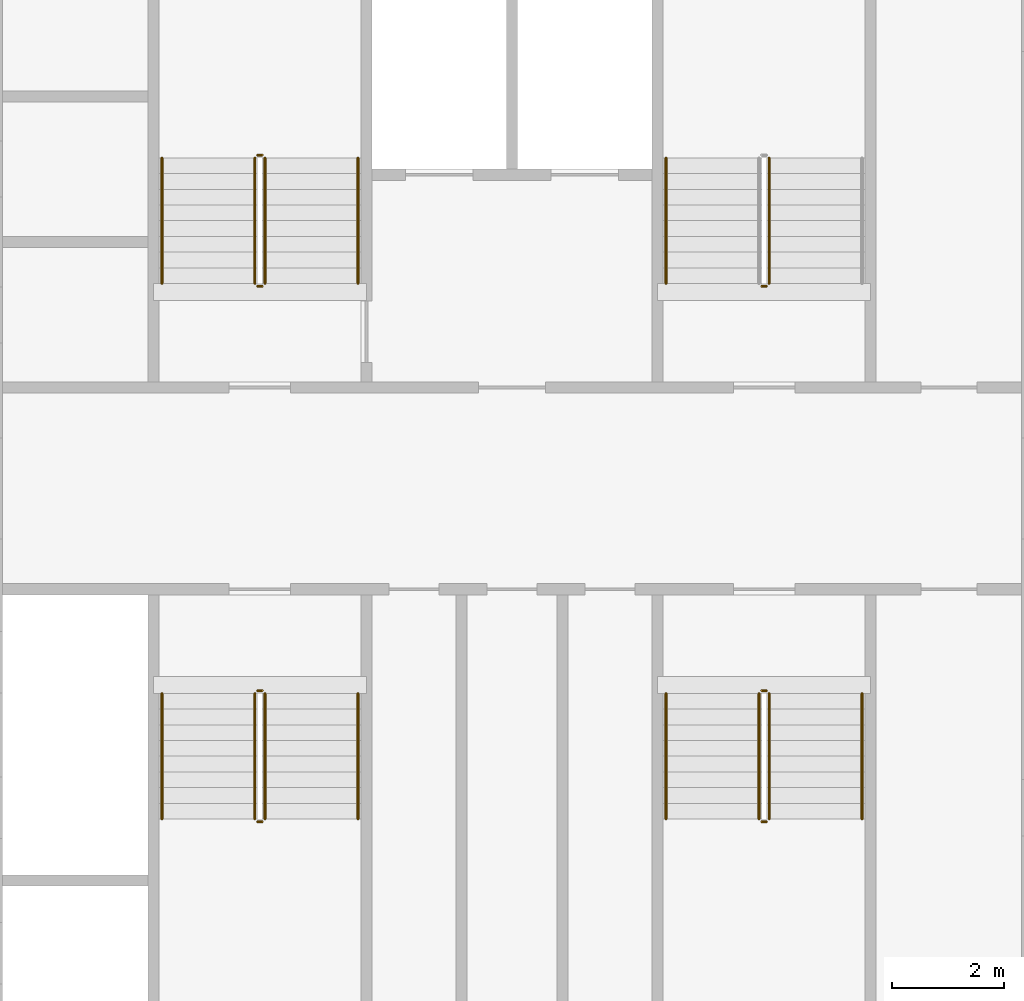
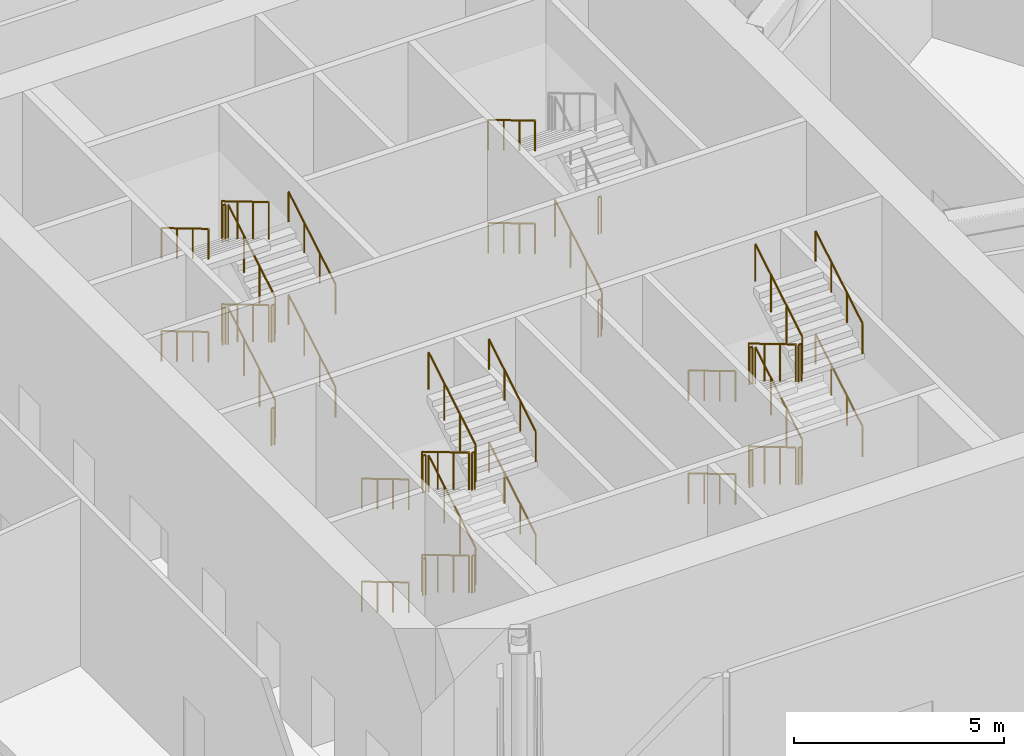
# One storey, part 35 of 39: 41 railings.
"""IFC4 building model written with IfcOpenShell, lengths in metres."""

from ifc_helpers import new_model, si_unit, direction, frame, origin, origin_2d, place, context, subcontext, project, spatial, circle, extrude, material, type_object, element, save


model = new_model("IFC4")

# Units and contexts
model_context = context("Model", 3, precision=1e-05, world=origin(), true_north=direction((0.0, 1.0)))
body_context = subcontext(model_context, "Body", "Model", "MODEL_VIEW")
ifc_project = project(units=[si_unit("LENGTHUNIT", "METRE"), si_unit("AREAUNIT", "SQUARE_METRE"), si_unit("VOLUMEUNIT", "CUBIC_METRE"), si_unit("PLANEANGLEUNIT", "RADIAN"), si_unit("MASSUNIT", "GRAM", prefix="KILO")], contexts=[model_context])

# Site, building, storey
site_placement = place(None, origin())
site = spatial("IfcSite", under=ifc_project, at=site_placement, CompositionType="ELEMENT")
building_placement = place(site_placement, origin())
building = spatial("IfcBuilding", under=site, at=building_placement, Name="Tarsis Ring Headquarters", CompositionType="ELEMENT")
storey_placement = place(building_placement, frame((0.0, 0.0, 86.800048828125)))
storey = spatial("IfcBuildingStorey", under=building, at=storey_placement, Name="L19", CompositionType="ELEMENT", Elevation=86.800048828125)

# Railings
ifc_material = material(Name="Steel S355", Category="steel")
railing_type_1 = type_object("IfcRailingType", Name="Core stair guard 1100", PredefinedType="GUARDRAIL", material=ifc_material)
railing_1_placement = place(storey_placement, frame((-4.409912109375, 3.659912109375, 0.16650390625)))
element("IfcRailing", 1, at=railing_1_placement, inside=storey, type_object=railing_type_1, Name="L19 ST1 stair guard 1", PredefinedType="GUARDRAIL", context=body_context, shape_type="SweptSolid", body=[
    extrude(circle(Radius=0.02392578125, at=origin_2d()), frame((0.0, 0.0, 1.076171875), z_axis=(0.0, 0.859264461869, 0.511531606619), x_axis=(-1.0, 0.0, 0.0)), (0.0, 0.0, 1.0), 2.60693359375),
    extrude(circle(Radius=0.02099609375, at=origin_2d()), origin(), (0.0, 0.0, 1.0), 1.052001953125),
    extrude(circle(Radius=0.02099609375, at=origin_2d()), frame((0.0, 0.74658203125, 0.444580078125)), (0.0, 0.0, 1.0), 1.052001953125),
    extrude(circle(Radius=0.02099609375, at=origin_2d()), frame((0.0, 1.493408203125, 0.888916015625)), (0.0, 0.0, 1.0), 1.052001953125),
    extrude(circle(Radius=0.02099609375, at=origin_2d()), frame((0.0, 2.239990234375, 1.33349609375)), (0.0, 0.0, 1.0), 1.052001953125),
])
railing_2_placement = place(storey_placement, frame((-4.4599609375, 5.949951171875, 1.5)))
element("IfcRailing", 2, at=railing_2_placement, inside=storey, type_object=railing_type_1, Name="L19 ST1 stair guard 2", PredefinedType="GUARDRAIL", context=body_context, shape_type="SweptSolid", body=[
    extrude(circle(Radius=0.02392578125, at=origin_2d()), frame((0.0, 0.0, 1.076171875), z_axis=(-1.0, 0.0, 0.0), x_axis=(0.0, -1.0, 0.0)), (0.0, 0.0, 1.0), 0.080078125),
    extrude(circle(Radius=0.02099609375, at=origin_2d()), origin(), (0.0, 0.0, 1.0), 1.052001953125),
    extrude(circle(Radius=0.02099609375, at=origin_2d()), frame((-0.080078125, 0.0, 0.0)), (0.0, 0.0, 1.0), 1.052001953125),
])
railing_3_placement = place(storey_placement, frame((-4.590087890625, 5.89990234375, 1.66650390625)))
element("IfcRailing", 3, at=railing_3_placement, inside=storey, type_object=railing_type_1, Name="L19 ST1 stair guard 3", PredefinedType="GUARDRAIL", context=body_context, shape_type="SweptSolid", body=[
    extrude(circle(Radius=0.02392578125, at=origin_2d()), frame((0.0, 0.0, 1.076171875), z_axis=(0.0, -0.859264461869, 0.511531606619), x_axis=(1.0, 0.0, 0.0)), (0.0, 0.0, 1.0), 2.60693359375),
    extrude(circle(Radius=0.02099609375, at=origin_2d()), origin(), (0.0, 0.0, 1.0), 1.052001953125),
    extrude(circle(Radius=0.02099609375, at=origin_2d()), frame((0.0, -0.74658203125, 0.444580078125)), (0.0, 0.0, 1.0), 1.052001953125),
    extrude(circle(Radius=0.02099609375, at=origin_2d()), frame((0.0, -1.493408203125, 0.888916015625)), (0.0, 0.0, 1.0), 1.052001953125),
    extrude(circle(Radius=0.02099609375, at=origin_2d()), frame((0.0, -2.239990234375, 1.33349609375)), (0.0, 0.0, 1.0), 1.052001953125),
])
railing_4_placement = place(storey_placement, frame((-4.4599609375, 3.610107421875, 3.0)))
element("IfcRailing", 4, at=railing_4_placement, inside=storey, type_object=railing_type_1, Name="L19 ST1 stair guard 4", PredefinedType="GUARDRAIL", context=body_context, shape_type="SweptSolid", body=[
    extrude(circle(Radius=0.02392578125, at=origin_2d()), frame((0.0, 0.0, 1.076171875), z_axis=(-1.0, 0.0, 0.0), x_axis=(0.0, -1.0, 0.0)), (0.0, 0.0, 1.0), 0.080078125),
    extrude(circle(Radius=0.02099609375, at=origin_2d()), origin(), (0.0, 0.0, 1.0), 1.052001953125),
    extrude(circle(Radius=0.02099609375, at=origin_2d()), frame((-0.080078125, 0.0, 0.0)), (0.0, 0.0, 1.0), 1.052001953125),
])
railing_5_placement = place(storey_placement, frame((-4.409912109375, 3.659912109375, 3.16650390625)))
element("IfcRailing", 5, at=railing_5_placement, inside=storey, type_object=railing_type_1, Name="L19 ST1 stair guard 5", PredefinedType="GUARDRAIL", context=body_context, shape_type="SweptSolid", body=[
    extrude(circle(Radius=0.02392578125, at=origin_2d()), frame((0.0, 0.0, 1.076171875), z_axis=(0.0, 0.859264461869, 0.511531606619), x_axis=(-1.0, 0.0, 0.0)), (0.0, 0.0, 1.0), 2.60693359375),
    extrude(circle(Radius=0.02099609375, at=origin_2d()), origin(), (0.0, 0.0, 1.0), 1.052001953125),
    extrude(circle(Radius=0.02099609375, at=origin_2d()), frame((0.0, 0.74658203125, 0.444580078125)), (0.0, 0.0, 1.0), 1.052001953125),
    extrude(circle(Radius=0.02099609375, at=origin_2d()), frame((0.0, 1.493408203125, 0.888916015625)), (0.0, 0.0, 1.0), 1.052001953125),
    extrude(circle(Radius=0.02099609375, at=origin_2d()), frame((0.0, 2.239990234375, 1.33349609375)), (0.0, 0.0, 1.0), 1.052001953125),
])
railing_6_placement = place(storey_placement, frame((-4.4599609375, 5.949951171875, 4.5)))
element("IfcRailing", 6, at=railing_6_placement, inside=storey, type_object=railing_type_1, Name="L19 ST1 stair guard 6", PredefinedType="GUARDRAIL", context=body_context, shape_type="SweptSolid", body=[
    extrude(circle(Radius=0.02392578125, at=origin_2d()), frame((0.0, 0.0, 1.076171875), z_axis=(-1.0, 0.0, 0.0), x_axis=(0.0, -1.0, 0.0)), (0.0, 0.0, 1.0), 0.080078125),
    extrude(circle(Radius=0.02099609375, at=origin_2d()), origin(), (0.0, 0.0, 1.0), 1.052001953125),
    extrude(circle(Radius=0.02099609375, at=origin_2d()), frame((-0.080078125, 0.0, 0.0)), (0.0, 0.0, 1.0), 1.052001953125),
])
railing_7_placement = place(storey_placement, frame((-4.590087890625, 5.89990234375, 4.66650390625)))
element("IfcRailing", 7, at=railing_7_placement, inside=storey, type_object=railing_type_1, Name="L19 ST1 stair guard 7", PredefinedType="GUARDRAIL", context=body_context, shape_type="SweptSolid", body=[
    extrude(circle(Radius=0.02392578125, at=origin_2d()), frame((0.0, 0.0, 1.076171875), z_axis=(0.0, -0.859264461869, 0.511531606619), x_axis=(1.0, 0.0, 0.0)), (0.0, 0.0, 1.0), 2.60693359375),
    extrude(circle(Radius=0.02099609375, at=origin_2d()), origin(), (0.0, 0.0, 1.0), 1.052001953125),
    extrude(circle(Radius=0.02099609375, at=origin_2d()), frame((0.0, -0.74658203125, 0.444580078125)), (0.0, 0.0, 1.0), 1.052001953125),
    extrude(circle(Radius=0.02099609375, at=origin_2d()), frame((0.0, -1.493408203125, 0.888916015625)), (0.0, 0.0, 1.0), 1.052001953125),
    extrude(circle(Radius=0.02099609375, at=origin_2d()), frame((0.0, -2.239990234375, 1.33349609375)), (0.0, 0.0, 1.0), 1.052001953125),
])
railing_8_placement = place(storey_placement, frame((-4.4599609375, 3.610107421875, 0.0)))
element("IfcRailing", 8, at=railing_8_placement, inside=storey, type_object=railing_type_1, Name="L19 ST1 stair guard 8", PredefinedType="GUARDRAIL", context=body_context, shape_type="SweptSolid", body=[
    extrude(circle(Radius=0.02392578125, at=origin_2d()), frame((0.0, 0.0, 1.076171875), z_axis=(-1.0, 0.0, 0.0), x_axis=(0.0, -1.0, 0.0)), (0.0, 0.0, 1.0), 0.080078125),
    extrude(circle(Radius=0.02099609375, at=origin_2d()), origin(), (0.0, 0.0, 1.0), 1.052001953125),
    extrude(circle(Radius=0.02099609375, at=origin_2d()), frame((-0.080078125, 0.0, 0.0)), (0.0, 0.0, 1.0), 1.052001953125),
])
railing_9_placement = place(storey_placement, frame((4.590087890625, 3.659912109375, 0.16650390625)))
element("IfcRailing", 9, at=railing_9_placement, inside=storey, type_object=railing_type_1, Name="L19 ST2 stair guard 1", PredefinedType="GUARDRAIL", context=body_context, shape_type="SweptSolid", body=[
    extrude(circle(Radius=0.02392578125, at=origin_2d()), frame((0.0, 0.0, 1.076171875), z_axis=(0.0, 0.859264461869, 0.511531606619), x_axis=(-1.0, 0.0, 0.0)), (0.0, 0.0, 1.0), 2.60693359375),
    extrude(circle(Radius=0.02099609375, at=origin_2d()), origin(), (0.0, 0.0, 1.0), 1.052001953125),
    extrude(circle(Radius=0.02099609375, at=origin_2d()), frame((0.0, 0.74658203125, 0.444580078125)), (0.0, 0.0, 1.0), 1.052001953125),
    extrude(circle(Radius=0.02099609375, at=origin_2d()), frame((0.0, 1.493408203125, 0.888916015625)), (0.0, 0.0, 1.0), 1.052001953125),
    extrude(circle(Radius=0.02099609375, at=origin_2d()), frame((0.0, 2.239990234375, 1.33349609375)), (0.0, 0.0, 1.0), 1.052001953125),
])
for number, where, name in (
    (10, (4.5400390625, 3.610107421875, 3.0), "L19 ST2 stair guard 4"),
    (11, (4.5400390625, 3.610107421875, 0.0), "L19 ST2 stair guard 8"),
):
    element("IfcRailing", number, at=place(storey_placement, frame(where)), inside=storey, type_object=railing_type_1, Name=name, PredefinedType="GUARDRAIL", context=body_context, shape_type="SweptSolid", body=[
        extrude(circle(Radius=0.02392578125, at=origin_2d()), frame((0.0, 0.0, 1.076171875), z_axis=(-1.0, 0.0, 0.0), x_axis=(0.0, -1.0, 0.0)), (0.0, 0.0, 1.0), 0.080078125),
        extrude(circle(Radius=0.02099609375, at=origin_2d()), origin(), (0.0, 0.0, 1.0), 1.052001953125),
        extrude(circle(Radius=0.02099609375, at=origin_2d()), frame((-0.080078125, 0.0, 0.0)), (0.0, 0.0, 1.0), 1.052001953125),
    ])
railing_10_placement = place(storey_placement, frame((-4.590087890625, -3.659912109375, 0.16650390625)))
element("IfcRailing", 12, at=railing_10_placement, inside=storey, type_object=railing_type_1, Name="L19 ST3 stair guard 1", PredefinedType="GUARDRAIL", context=body_context, shape_type="SweptSolid", body=[
    extrude(circle(Radius=0.02392578125, at=origin_2d()), frame((0.0, 0.0, 1.076171875), z_axis=(0.0, -0.859264461869, 0.511531606619), x_axis=(1.0, 0.0, 0.0)), (0.0, 0.0, 1.0), 2.60693359375),
    extrude(circle(Radius=0.02099609375, at=origin_2d()), origin(), (0.0, 0.0, 1.0), 1.052001953125),
    extrude(circle(Radius=0.02099609375, at=origin_2d()), frame((0.0, -0.74658203125, 0.444580078125)), (0.0, 0.0, 1.0), 1.052001953125),
    extrude(circle(Radius=0.02099609375, at=origin_2d()), frame((0.0, -1.493408203125, 0.888916015625)), (0.0, 0.0, 1.0), 1.052001953125),
    extrude(circle(Radius=0.02099609375, at=origin_2d()), frame((0.0, -2.239990234375, 1.33349609375)), (0.0, 0.0, 1.0), 1.052001953125),
])
railing_11_placement = place(storey_placement, frame((-4.5400390625, -5.949951171875, 1.5)))
element("IfcRailing", 13, at=railing_11_placement, inside=storey, type_object=railing_type_1, Name="L19 ST3 stair guard 2", PredefinedType="GUARDRAIL", context=body_context, shape_type="SweptSolid", body=[
    extrude(circle(Radius=0.02392578125, at=origin_2d()), frame((0.0, 0.0, 1.076171875), z_axis=(1.0, 0.0, 0.0), x_axis=(0.0, 1.0, 0.0)), (0.0, 0.0, 1.0), 0.080078125),
    extrude(circle(Radius=0.02099609375, at=origin_2d()), origin(), (0.0, 0.0, 1.0), 1.052001953125),
    extrude(circle(Radius=0.02099609375, at=origin_2d()), frame((0.080078125, 0.0, 0.0)), (0.0, 0.0, 1.0), 1.052001953125),
])
railing_12_placement = place(storey_placement, frame((-4.409912109375, -5.89990234375, 1.66650390625)))
element("IfcRailing", 14, at=railing_12_placement, inside=storey, type_object=railing_type_1, Name="L19 ST3 stair guard 3", PredefinedType="GUARDRAIL", context=body_context, shape_type="SweptSolid", body=[
    extrude(circle(Radius=0.02392578125, at=origin_2d()), frame((0.0, 0.0, 1.076171875), z_axis=(0.0, 0.859264461869, 0.511531606619), x_axis=(-1.0, 0.0, 0.0)), (0.0, 0.0, 1.0), 2.60693359375),
    extrude(circle(Radius=0.02099609375, at=origin_2d()), origin(), (0.0, 0.0, 1.0), 1.052001953125),
    extrude(circle(Radius=0.02099609375, at=origin_2d()), frame((0.0, 0.74658203125, 0.444580078125)), (0.0, 0.0, 1.0), 1.052001953125),
    extrude(circle(Radius=0.02099609375, at=origin_2d()), frame((0.0, 1.493408203125, 0.888916015625)), (0.0, 0.0, 1.0), 1.052001953125),
    extrude(circle(Radius=0.02099609375, at=origin_2d()), frame((0.0, 2.239990234375, 1.33349609375)), (0.0, 0.0, 1.0), 1.052001953125),
])
railing_13_placement = place(storey_placement, frame((-4.5400390625, -3.610107421875, 3.0)))
element("IfcRailing", 15, at=railing_13_placement, inside=storey, type_object=railing_type_1, Name="L19 ST3 stair guard 4", PredefinedType="GUARDRAIL", context=body_context, shape_type="SweptSolid", body=[
    extrude(circle(Radius=0.02392578125, at=origin_2d()), frame((0.0, 0.0, 1.076171875), z_axis=(1.0, 0.0, 0.0), x_axis=(0.0, 1.0, 0.0)), (0.0, 0.0, 1.0), 0.080078125),
    extrude(circle(Radius=0.02099609375, at=origin_2d()), origin(), (0.0, 0.0, 1.0), 1.052001953125),
    extrude(circle(Radius=0.02099609375, at=origin_2d()), frame((0.080078125, 0.0, 0.0)), (0.0, 0.0, 1.0), 1.052001953125),
])
railing_14_placement = place(storey_placement, frame((-4.590087890625, -3.659912109375, 3.16650390625)))
element("IfcRailing", 16, at=railing_14_placement, inside=storey, type_object=railing_type_1, Name="L19 ST3 stair guard 5", PredefinedType="GUARDRAIL", context=body_context, shape_type="SweptSolid", body=[
    extrude(circle(Radius=0.02392578125, at=origin_2d()), frame((0.0, 0.0, 1.076171875), z_axis=(0.0, -0.859264461869, 0.511531606619), x_axis=(1.0, 0.0, 0.0)), (0.0, 0.0, 1.0), 2.60693359375),
    extrude(circle(Radius=0.02099609375, at=origin_2d()), origin(), (0.0, 0.0, 1.0), 1.052001953125),
    extrude(circle(Radius=0.02099609375, at=origin_2d()), frame((0.0, -0.74658203125, 0.444580078125)), (0.0, 0.0, 1.0), 1.052001953125),
    extrude(circle(Radius=0.02099609375, at=origin_2d()), frame((0.0, -1.493408203125, 0.888916015625)), (0.0, 0.0, 1.0), 1.052001953125),
    extrude(circle(Radius=0.02099609375, at=origin_2d()), frame((0.0, -2.239990234375, 1.33349609375)), (0.0, 0.0, 1.0), 1.052001953125),
])
railing_15_placement = place(storey_placement, frame((-4.5400390625, -5.949951171875, 4.5)))
element("IfcRailing", 17, at=railing_15_placement, inside=storey, type_object=railing_type_1, Name="L19 ST3 stair guard 6", PredefinedType="GUARDRAIL", context=body_context, shape_type="SweptSolid", body=[
    extrude(circle(Radius=0.02392578125, at=origin_2d()), frame((0.0, 0.0, 1.076171875), z_axis=(1.0, 0.0, 0.0), x_axis=(0.0, 1.0, 0.0)), (0.0, 0.0, 1.0), 0.080078125),
    extrude(circle(Radius=0.02099609375, at=origin_2d()), origin(), (0.0, 0.0, 1.0), 1.052001953125),
    extrude(circle(Radius=0.02099609375, at=origin_2d()), frame((0.080078125, 0.0, 0.0)), (0.0, 0.0, 1.0), 1.052001953125),
])
railing_16_placement = place(storey_placement, frame((-4.409912109375, -5.89990234375, 4.66650390625)))
element("IfcRailing", 18, at=railing_16_placement, inside=storey, type_object=railing_type_1, Name="L19 ST3 stair guard 7", PredefinedType="GUARDRAIL", context=body_context, shape_type="SweptSolid", body=[
    extrude(circle(Radius=0.02392578125, at=origin_2d()), frame((0.0, 0.0, 1.076171875), z_axis=(0.0, 0.859264461869, 0.511531606619), x_axis=(-1.0, 0.0, 0.0)), (0.0, 0.0, 1.0), 2.60693359375),
    extrude(circle(Radius=0.02099609375, at=origin_2d()), origin(), (0.0, 0.0, 1.0), 1.052001953125),
    extrude(circle(Radius=0.02099609375, at=origin_2d()), frame((0.0, 0.74658203125, 0.444580078125)), (0.0, 0.0, 1.0), 1.052001953125),
    extrude(circle(Radius=0.02099609375, at=origin_2d()), frame((0.0, 1.493408203125, 0.888916015625)), (0.0, 0.0, 1.0), 1.052001953125),
    extrude(circle(Radius=0.02099609375, at=origin_2d()), frame((0.0, 2.239990234375, 1.33349609375)), (0.0, 0.0, 1.0), 1.052001953125),
])
railing_17_placement = place(storey_placement, frame((-4.5400390625, -3.610107421875, 0.0)))
element("IfcRailing", 19, at=railing_17_placement, inside=storey, type_object=railing_type_1, Name="L19 ST3 stair guard 8", PredefinedType="GUARDRAIL", context=body_context, shape_type="SweptSolid", body=[
    extrude(circle(Radius=0.02392578125, at=origin_2d()), frame((0.0, 0.0, 1.076171875), z_axis=(1.0, 0.0, 0.0), x_axis=(0.0, 1.0, 0.0)), (0.0, 0.0, 1.0), 0.080078125),
    extrude(circle(Radius=0.02099609375, at=origin_2d()), origin(), (0.0, 0.0, 1.0), 1.052001953125),
    extrude(circle(Radius=0.02099609375, at=origin_2d()), frame((0.080078125, 0.0, 0.0)), (0.0, 0.0, 1.0), 1.052001953125),
])
railing_18_placement = place(storey_placement, frame((4.409912109375, -3.659912109375, 0.16650390625)))
element("IfcRailing", 20, at=railing_18_placement, inside=storey, type_object=railing_type_1, Name="L19 ST4 stair guard 1", PredefinedType="GUARDRAIL", context=body_context, shape_type="SweptSolid", body=[
    extrude(circle(Radius=0.02392578125, at=origin_2d()), frame((0.0, 0.0, 1.076171875), z_axis=(0.0, -0.859264461869, 0.511531606619), x_axis=(1.0, 0.0, 0.0)), (0.0, 0.0, 1.0), 2.60693359375),
    extrude(circle(Radius=0.02099609375, at=origin_2d()), origin(), (0.0, 0.0, 1.0), 1.052001953125),
    extrude(circle(Radius=0.02099609375, at=origin_2d()), frame((0.0, -0.74658203125, 0.444580078125)), (0.0, 0.0, 1.0), 1.052001953125),
    extrude(circle(Radius=0.02099609375, at=origin_2d()), frame((0.0, -1.493408203125, 0.888916015625)), (0.0, 0.0, 1.0), 1.052001953125),
    extrude(circle(Radius=0.02099609375, at=origin_2d()), frame((0.0, -2.239990234375, 1.33349609375)), (0.0, 0.0, 1.0), 1.052001953125),
])
railing_19_placement = place(storey_placement, frame((4.4599609375, -5.949951171875, 1.5)))
element("IfcRailing", 21, at=railing_19_placement, inside=storey, type_object=railing_type_1, Name="L19 ST4 stair guard 2", PredefinedType="GUARDRAIL", context=body_context, shape_type="SweptSolid", body=[
    extrude(circle(Radius=0.02392578125, at=origin_2d()), frame((0.0, 0.0, 1.076171875), z_axis=(1.0, 0.0, 0.0), x_axis=(0.0, 1.0, 0.0)), (0.0, 0.0, 1.0), 0.080078125),
    extrude(circle(Radius=0.02099609375, at=origin_2d()), origin(), (0.0, 0.0, 1.0), 1.052001953125),
    extrude(circle(Radius=0.02099609375, at=origin_2d()), frame((0.080078125, 0.0, 0.0)), (0.0, 0.0, 1.0), 1.052001953125),
])
railing_20_placement = place(storey_placement, frame((4.590087890625, -5.89990234375, 1.66650390625)))
element("IfcRailing", 22, at=railing_20_placement, inside=storey, type_object=railing_type_1, Name="L19 ST4 stair guard 3", PredefinedType="GUARDRAIL", context=body_context, shape_type="SweptSolid", body=[
    extrude(circle(Radius=0.02392578125, at=origin_2d()), frame((0.0, 0.0, 1.076171875), z_axis=(0.0, 0.859264461869, 0.511531606619), x_axis=(-1.0, 0.0, 0.0)), (0.0, 0.0, 1.0), 2.60693359375),
    extrude(circle(Radius=0.02099609375, at=origin_2d()), origin(), (0.0, 0.0, 1.0), 1.052001953125),
    extrude(circle(Radius=0.02099609375, at=origin_2d()), frame((0.0, 0.74658203125, 0.444580078125)), (0.0, 0.0, 1.0), 1.052001953125),
    extrude(circle(Radius=0.02099609375, at=origin_2d()), frame((0.0, 1.493408203125, 0.888916015625)), (0.0, 0.0, 1.0), 1.052001953125),
    extrude(circle(Radius=0.02099609375, at=origin_2d()), frame((0.0, 2.239990234375, 1.33349609375)), (0.0, 0.0, 1.0), 1.052001953125),
])
railing_21_placement = place(storey_placement, frame((4.4599609375, -3.610107421875, 3.0)))
element("IfcRailing", 23, at=railing_21_placement, inside=storey, type_object=railing_type_1, Name="L19 ST4 stair guard 4", PredefinedType="GUARDRAIL", context=body_context, shape_type="SweptSolid", body=[
    extrude(circle(Radius=0.02392578125, at=origin_2d()), frame((0.0, 0.0, 1.076171875), z_axis=(1.0, 0.0, 0.0), x_axis=(0.0, 1.0, 0.0)), (0.0, 0.0, 1.0), 0.080078125),
    extrude(circle(Radius=0.02099609375, at=origin_2d()), origin(), (0.0, 0.0, 1.0), 1.052001953125),
    extrude(circle(Radius=0.02099609375, at=origin_2d()), frame((0.080078125, 0.0, 0.0)), (0.0, 0.0, 1.0), 1.052001953125),
])
railing_22_placement = place(storey_placement, frame((4.409912109375, -3.659912109375, 3.16650390625)))
element("IfcRailing", 24, at=railing_22_placement, inside=storey, type_object=railing_type_1, Name="L19 ST4 stair guard 5", PredefinedType="GUARDRAIL", context=body_context, shape_type="SweptSolid", body=[
    extrude(circle(Radius=0.02392578125, at=origin_2d()), frame((0.0, 0.0, 1.076171875), z_axis=(0.0, -0.859264461869, 0.511531606619), x_axis=(1.0, 0.0, 0.0)), (0.0, 0.0, 1.0), 2.60693359375),
    extrude(circle(Radius=0.02099609375, at=origin_2d()), origin(), (0.0, 0.0, 1.0), 1.052001953125),
    extrude(circle(Radius=0.02099609375, at=origin_2d()), frame((0.0, -0.74658203125, 0.444580078125)), (0.0, 0.0, 1.0), 1.052001953125),
    extrude(circle(Radius=0.02099609375, at=origin_2d()), frame((0.0, -1.493408203125, 0.888916015625)), (0.0, 0.0, 1.0), 1.052001953125),
    extrude(circle(Radius=0.02099609375, at=origin_2d()), frame((0.0, -2.239990234375, 1.33349609375)), (0.0, 0.0, 1.0), 1.052001953125),
])
railing_23_placement = place(storey_placement, frame((4.4599609375, -5.949951171875, 4.5)))
element("IfcRailing", 25, at=railing_23_placement, inside=storey, type_object=railing_type_1, Name="L19 ST4 stair guard 6", PredefinedType="GUARDRAIL", context=body_context, shape_type="SweptSolid", body=[
    extrude(circle(Radius=0.02392578125, at=origin_2d()), frame((0.0, 0.0, 1.076171875), z_axis=(1.0, 0.0, 0.0), x_axis=(0.0, 1.0, 0.0)), (0.0, 0.0, 1.0), 0.080078125),
    extrude(circle(Radius=0.02099609375, at=origin_2d()), origin(), (0.0, 0.0, 1.0), 1.052001953125),
    extrude(circle(Radius=0.02099609375, at=origin_2d()), frame((0.080078125, 0.0, 0.0)), (0.0, 0.0, 1.0), 1.052001953125),
])
railing_24_placement = place(storey_placement, frame((4.590087890625, -5.89990234375, 4.66650390625)))
element("IfcRailing", 26, at=railing_24_placement, inside=storey, type_object=railing_type_1, Name="L19 ST4 stair guard 7", PredefinedType="GUARDRAIL", context=body_context, shape_type="SweptSolid", body=[
    extrude(circle(Radius=0.02392578125, at=origin_2d()), frame((0.0, 0.0, 1.076171875), z_axis=(0.0, 0.859264461869, 0.511531606619), x_axis=(-1.0, 0.0, 0.0)), (0.0, 0.0, 1.0), 2.60693359375),
    extrude(circle(Radius=0.02099609375, at=origin_2d()), origin(), (0.0, 0.0, 1.0), 1.052001953125),
    extrude(circle(Radius=0.02099609375, at=origin_2d()), frame((0.0, 0.74658203125, 0.444580078125)), (0.0, 0.0, 1.0), 1.052001953125),
    extrude(circle(Radius=0.02099609375, at=origin_2d()), frame((0.0, 1.493408203125, 0.888916015625)), (0.0, 0.0, 1.0), 1.052001953125),
    extrude(circle(Radius=0.02099609375, at=origin_2d()), frame((0.0, 2.239990234375, 1.33349609375)), (0.0, 0.0, 1.0), 1.052001953125),
])
railing_25_placement = place(storey_placement, frame((4.4599609375, -3.610107421875, 0.0)))
element("IfcRailing", 27, at=railing_25_placement, inside=storey, type_object=railing_type_1, Name="L19 ST4 stair guard 8", PredefinedType="GUARDRAIL", context=body_context, shape_type="SweptSolid", body=[
    extrude(circle(Radius=0.02392578125, at=origin_2d()), frame((0.0, 0.0, 1.076171875), z_axis=(1.0, 0.0, 0.0), x_axis=(0.0, 1.0, 0.0)), (0.0, 0.0, 1.0), 0.080078125),
    extrude(circle(Radius=0.02099609375, at=origin_2d()), origin(), (0.0, 0.0, 1.0), 1.052001953125),
    extrude(circle(Radius=0.02099609375, at=origin_2d()), frame((0.080078125, 0.0, 0.0)), (0.0, 0.0, 1.0), 1.052001953125),
])
railing_type_2 = type_object("IfcRailingType", Name="Core stair handrail 900", PredefinedType="HANDRAIL", material=ifc_material)
railing_26_placement = place(storey_placement, frame((-2.75, 3.659912109375, 0.16650390625)))
element("IfcRailing", 28, at=railing_26_placement, inside=storey, type_object=railing_type_2, Name="L19 ST1 stair handrail 1", PredefinedType="HANDRAIL", context=body_context, shape_type="SweptSolid", body=[
    extrude(circle(Radius=0.02392578125, at=origin_2d()), frame((0.0, 0.0, 0.8759765625), z_axis=(0.0, 0.859264461869, 0.511531606619), x_axis=(-1.0, 0.0, 0.0)), (0.0, 0.0, 1.0), 2.60693359375),
    extrude(circle(Radius=0.02099609375, at=origin_2d()), origin(), (0.0, 0.0, 1.0), 0.851806640625),
    extrude(circle(Radius=0.02099609375, at=origin_2d()), frame((0.0, 0.74658203125, 0.444580078125)), (0.0, 0.0, 1.0), 0.851806640625),
    extrude(circle(Radius=0.02099609375, at=origin_2d()), frame((0.0, 1.493408203125, 0.888916015625)), (0.0, 0.0, 1.0), 0.851806640625),
    extrude(circle(Radius=0.02099609375, at=origin_2d()), frame((0.0, 2.239990234375, 1.33349609375)), (0.0, 0.0, 1.0), 0.851806640625),
])
railing_27_placement = place(storey_placement, frame((-6.25, 5.89990234375, 1.66650390625)))
element("IfcRailing", 29, at=railing_27_placement, inside=storey, type_object=railing_type_2, Name="L19 ST1 stair handrail 2", PredefinedType="HANDRAIL", context=body_context, shape_type="SweptSolid", body=[
    extrude(circle(Radius=0.02392578125, at=origin_2d()), frame((0.0, 0.0, 0.8759765625), z_axis=(0.0, -0.859264461869, 0.511531606619), x_axis=(1.0, 0.0, 0.0)), (0.0, 0.0, 1.0), 2.60693359375),
    extrude(circle(Radius=0.02099609375, at=origin_2d()), origin(), (0.0, 0.0, 1.0), 0.851806640625),
    extrude(circle(Radius=0.02099609375, at=origin_2d()), frame((0.0, -0.74658203125, 0.444580078125)), (0.0, 0.0, 1.0), 0.851806640625),
    extrude(circle(Radius=0.02099609375, at=origin_2d()), frame((0.0, -1.493408203125, 0.888916015625)), (0.0, 0.0, 1.0), 0.851806640625),
    extrude(circle(Radius=0.02099609375, at=origin_2d()), frame((0.0, -2.239990234375, 1.33349609375)), (0.0, 0.0, 1.0), 0.851806640625),
])
railing_28_placement = place(storey_placement, frame((-2.75, 3.659912109375, 3.16650390625)))
element("IfcRailing", 30, at=railing_28_placement, inside=storey, type_object=railing_type_2, Name="L19 ST1 stair handrail 3", PredefinedType="HANDRAIL", context=body_context, shape_type="SweptSolid", body=[
    extrude(circle(Radius=0.02392578125, at=origin_2d()), frame((0.0, 0.0, 0.8759765625), z_axis=(0.0, 0.859264461869, 0.511531606619), x_axis=(-1.0, 0.0, 0.0)), (0.0, 0.0, 1.0), 2.60693359375),
    extrude(circle(Radius=0.02099609375, at=origin_2d()), origin(), (0.0, 0.0, 1.0), 0.851806640625),
    extrude(circle(Radius=0.02099609375, at=origin_2d()), frame((0.0, 0.74658203125, 0.444580078125)), (0.0, 0.0, 1.0), 0.851806640625),
    extrude(circle(Radius=0.02099609375, at=origin_2d()), frame((0.0, 1.493408203125, 0.888916015625)), (0.0, 0.0, 1.0), 0.851806640625),
    extrude(circle(Radius=0.02099609375, at=origin_2d()), frame((0.0, 2.239990234375, 1.33349609375)), (0.0, 0.0, 1.0), 0.851806640625),
])
for number, where, name in (
    (31, (-6.25, 5.89990234375, 4.66650390625), "L19 ST1 stair handrail 4"),
    (32, (2.75, 5.89990234375, 1.66650390625), "L19 ST2 stair handrail 2"),
    (33, (2.75, 5.89990234375, 4.66650390625), "L19 ST2 stair handrail 4"),
    (34, (-6.25, -3.659912109375, 0.16650390625), "L19 ST3 stair handrail 1"),
):
    element("IfcRailing", number, at=place(storey_placement, frame(where)), inside=storey, type_object=railing_type_2, Name=name, PredefinedType="HANDRAIL", context=body_context, shape_type="SweptSolid", body=[
        extrude(circle(Radius=0.02392578125, at=origin_2d()), frame((0.0, 0.0, 0.8759765625), z_axis=(0.0, -0.859264461869, 0.511531606619), x_axis=(1.0, 0.0, 0.0)), (0.0, 0.0, 1.0), 2.60693359375),
        extrude(circle(Radius=0.02099609375, at=origin_2d()), origin(), (0.0, 0.0, 1.0), 0.851806640625),
        extrude(circle(Radius=0.02099609375, at=origin_2d()), frame((0.0, -0.74658203125, 0.444580078125)), (0.0, 0.0, 1.0), 0.851806640625),
        extrude(circle(Radius=0.02099609375, at=origin_2d()), frame((0.0, -1.493408203125, 0.888916015625)), (0.0, 0.0, 1.0), 0.851806640625),
        extrude(circle(Radius=0.02099609375, at=origin_2d()), frame((0.0, -2.239990234375, 1.33349609375)), (0.0, 0.0, 1.0), 0.851806640625),
    ])
railing_29_placement = place(storey_placement, frame((-2.75, -5.89990234375, 1.66650390625)))
element("IfcRailing", 35, at=railing_29_placement, inside=storey, type_object=railing_type_2, Name="L19 ST3 stair handrail 2", PredefinedType="HANDRAIL", context=body_context, shape_type="SweptSolid", body=[
    extrude(circle(Radius=0.02392578125, at=origin_2d()), frame((0.0, 0.0, 0.8759765625), z_axis=(0.0, 0.859264461869, 0.511531606619), x_axis=(-1.0, 0.0, 0.0)), (0.0, 0.0, 1.0), 2.60693359375),
    extrude(circle(Radius=0.02099609375, at=origin_2d()), origin(), (0.0, 0.0, 1.0), 0.851806640625),
    extrude(circle(Radius=0.02099609375, at=origin_2d()), frame((0.0, 0.74658203125, 0.444580078125)), (0.0, 0.0, 1.0), 0.851806640625),
    extrude(circle(Radius=0.02099609375, at=origin_2d()), frame((0.0, 1.493408203125, 0.888916015625)), (0.0, 0.0, 1.0), 0.851806640625),
    extrude(circle(Radius=0.02099609375, at=origin_2d()), frame((0.0, 2.239990234375, 1.33349609375)), (0.0, 0.0, 1.0), 0.851806640625),
])
railing_30_placement = place(storey_placement, frame((-6.25, -3.659912109375, 3.16650390625)))
element("IfcRailing", 36, at=railing_30_placement, inside=storey, type_object=railing_type_2, Name="L19 ST3 stair handrail 3", PredefinedType="HANDRAIL", context=body_context, shape_type="SweptSolid", body=[
    extrude(circle(Radius=0.02392578125, at=origin_2d()), frame((0.0, 0.0, 0.8759765625), z_axis=(0.0, -0.859264461869, 0.511531606619), x_axis=(1.0, 0.0, 0.0)), (0.0, 0.0, 1.0), 2.60693359375),
    extrude(circle(Radius=0.02099609375, at=origin_2d()), origin(), (0.0, 0.0, 1.0), 0.851806640625),
    extrude(circle(Radius=0.02099609375, at=origin_2d()), frame((0.0, -0.74658203125, 0.444580078125)), (0.0, 0.0, 1.0), 0.851806640625),
    extrude(circle(Radius=0.02099609375, at=origin_2d()), frame((0.0, -1.493408203125, 0.888916015625)), (0.0, 0.0, 1.0), 0.851806640625),
    extrude(circle(Radius=0.02099609375, at=origin_2d()), frame((0.0, -2.239990234375, 1.33349609375)), (0.0, 0.0, 1.0), 0.851806640625),
])
railing_31_placement = place(storey_placement, frame((-2.75, -5.89990234375, 4.66650390625)))
element("IfcRailing", 37, at=railing_31_placement, inside=storey, type_object=railing_type_2, Name="L19 ST3 stair handrail 4", PredefinedType="HANDRAIL", context=body_context, shape_type="SweptSolid", body=[
    extrude(circle(Radius=0.02392578125, at=origin_2d()), frame((0.0, 0.0, 0.8759765625), z_axis=(0.0, 0.859264461869, 0.511531606619), x_axis=(-1.0, 0.0, 0.0)), (0.0, 0.0, 1.0), 2.60693359375),
    extrude(circle(Radius=0.02099609375, at=origin_2d()), origin(), (0.0, 0.0, 1.0), 0.851806640625),
    extrude(circle(Radius=0.02099609375, at=origin_2d()), frame((0.0, 0.74658203125, 0.444580078125)), (0.0, 0.0, 1.0), 0.851806640625),
    extrude(circle(Radius=0.02099609375, at=origin_2d()), frame((0.0, 1.493408203125, 0.888916015625)), (0.0, 0.0, 1.0), 0.851806640625),
    extrude(circle(Radius=0.02099609375, at=origin_2d()), frame((0.0, 2.239990234375, 1.33349609375)), (0.0, 0.0, 1.0), 0.851806640625),
])
railing_32_placement = place(storey_placement, frame((2.75, -3.659912109375, 0.16650390625)))
element("IfcRailing", 38, at=railing_32_placement, inside=storey, type_object=railing_type_2, Name="L19 ST4 stair handrail 1", PredefinedType="HANDRAIL", context=body_context, shape_type="SweptSolid", body=[
    extrude(circle(Radius=0.02392578125, at=origin_2d()), frame((0.0, 0.0, 0.8759765625), z_axis=(0.0, -0.859264461869, 0.511531606619), x_axis=(1.0, 0.0, 0.0)), (0.0, 0.0, 1.0), 2.60693359375),
    extrude(circle(Radius=0.02099609375, at=origin_2d()), origin(), (0.0, 0.0, 1.0), 0.851806640625),
    extrude(circle(Radius=0.02099609375, at=origin_2d()), frame((0.0, -0.74658203125, 0.444580078125)), (0.0, 0.0, 1.0), 0.851806640625),
    extrude(circle(Radius=0.02099609375, at=origin_2d()), frame((0.0, -1.493408203125, 0.888916015625)), (0.0, 0.0, 1.0), 0.851806640625),
    extrude(circle(Radius=0.02099609375, at=origin_2d()), frame((0.0, -2.239990234375, 1.33349609375)), (0.0, 0.0, 1.0), 0.851806640625),
])
railing_33_placement = place(storey_placement, frame((6.25, -5.89990234375, 1.66650390625)))
element("IfcRailing", 39, at=railing_33_placement, inside=storey, type_object=railing_type_2, Name="L19 ST4 stair handrail 2", PredefinedType="HANDRAIL", context=body_context, shape_type="SweptSolid", body=[
    extrude(circle(Radius=0.02392578125, at=origin_2d()), frame((0.0, 0.0, 0.8759765625), z_axis=(0.0, 0.859264461869, 0.511531606619), x_axis=(-1.0, 0.0, 0.0)), (0.0, 0.0, 1.0), 2.60693359375),
    extrude(circle(Radius=0.02099609375, at=origin_2d()), origin(), (0.0, 0.0, 1.0), 0.851806640625),
    extrude(circle(Radius=0.02099609375, at=origin_2d()), frame((0.0, 0.74658203125, 0.444580078125)), (0.0, 0.0, 1.0), 0.851806640625),
    extrude(circle(Radius=0.02099609375, at=origin_2d()), frame((0.0, 1.493408203125, 0.888916015625)), (0.0, 0.0, 1.0), 0.851806640625),
    extrude(circle(Radius=0.02099609375, at=origin_2d()), frame((0.0, 2.239990234375, 1.33349609375)), (0.0, 0.0, 1.0), 0.851806640625),
])
railing_34_placement = place(storey_placement, frame((2.75, -3.659912109375, 3.16650390625)))
element("IfcRailing", 40, at=railing_34_placement, inside=storey, type_object=railing_type_2, Name="L19 ST4 stair handrail 3", PredefinedType="HANDRAIL", context=body_context, shape_type="SweptSolid", body=[
    extrude(circle(Radius=0.02392578125, at=origin_2d()), frame((0.0, 0.0, 0.8759765625), z_axis=(0.0, -0.859264461869, 0.511531606619), x_axis=(1.0, 0.0, 0.0)), (0.0, 0.0, 1.0), 2.60693359375),
    extrude(circle(Radius=0.02099609375, at=origin_2d()), origin(), (0.0, 0.0, 1.0), 0.851806640625),
    extrude(circle(Radius=0.02099609375, at=origin_2d()), frame((0.0, -0.74658203125, 0.444580078125)), (0.0, 0.0, 1.0), 0.851806640625),
    extrude(circle(Radius=0.02099609375, at=origin_2d()), frame((0.0, -1.493408203125, 0.888916015625)), (0.0, 0.0, 1.0), 0.851806640625),
    extrude(circle(Radius=0.02099609375, at=origin_2d()), frame((0.0, -2.239990234375, 1.33349609375)), (0.0, 0.0, 1.0), 0.851806640625),
])
railing_35_placement = place(storey_placement, frame((6.25, -5.89990234375, 4.66650390625)))
element("IfcRailing", 41, at=railing_35_placement, inside=storey, type_object=railing_type_2, Name="L19 ST4 stair handrail 4", PredefinedType="HANDRAIL", context=body_context, shape_type="SweptSolid", body=[
    extrude(circle(Radius=0.02392578125, at=origin_2d()), frame((0.0, 0.0, 0.8759765625), z_axis=(0.0, 0.859264461869, 0.511531606619), x_axis=(-1.0, 0.0, 0.0)), (0.0, 0.0, 1.0), 2.60693359375),
    extrude(circle(Radius=0.02099609375, at=origin_2d()), origin(), (0.0, 0.0, 1.0), 0.851806640625),
    extrude(circle(Radius=0.02099609375, at=origin_2d()), frame((0.0, 0.74658203125, 0.444580078125)), (0.0, 0.0, 1.0), 0.851806640625),
    extrude(circle(Radius=0.02099609375, at=origin_2d()), frame((0.0, 1.493408203125, 0.888916015625)), (0.0, 0.0, 1.0), 0.851806640625),
    extrude(circle(Radius=0.02099609375, at=origin_2d()), frame((0.0, 2.239990234375, 1.33349609375)), (0.0, 0.0, 1.0), 0.851806640625),
])

save(model, "model.ifc")
